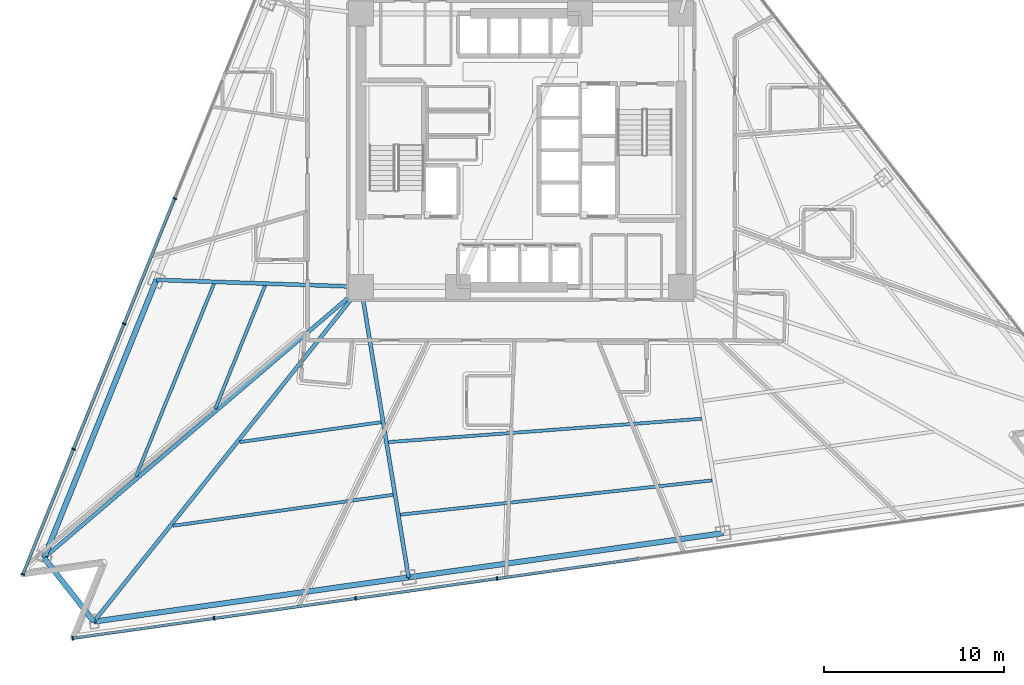
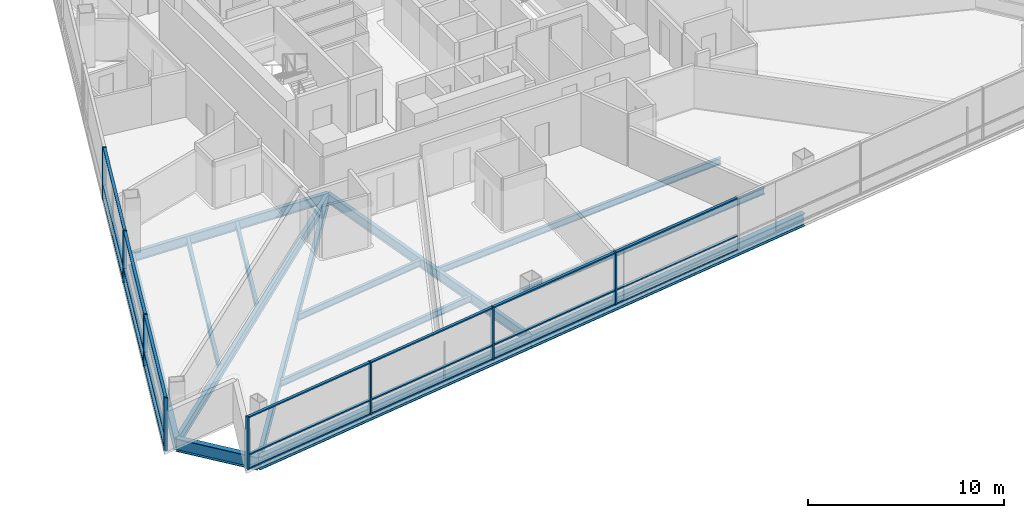
# One storey, part 2 of 16: 29 members, 14 beams, 2 elements without a shape of their own.
"""IFC4 building model written with IfcOpenShell, lengths in metres."""

from ifc_helpers import new_model, si_unit, direction, frame, origin, origin_2d, place, context, subcontext, project, spatial, rectangle, i_section, extrude, material, layer, layer_set, material_profile, profile_set, type_object, element, aggregate, save


model = new_model("IFC4")

# Units and contexts
model_context = context("Model", 3, precision=1e-05, world=origin(), true_north=direction((0.0, 1.0)))
body_context = subcontext(model_context, "Body", "Model", "MODEL_VIEW")
ifc_project = project(units=[si_unit("LENGTHUNIT", "METRE"), si_unit("AREAUNIT", "SQUARE_METRE"), si_unit("VOLUMEUNIT", "CUBIC_METRE"), si_unit("PLANEANGLEUNIT", "RADIAN"), si_unit("MASSUNIT", "GRAM", prefix="KILO")], contexts=[model_context])

# Site, building, storey
site_placement = place(None, origin())
site = spatial("IfcSite", under=ifc_project, at=site_placement, CompositionType="ELEMENT")
building_placement = place(site_placement, origin())
building = spatial("IfcBuilding", under=site, at=building_placement, Name="Tharavind Bronze Gate", CompositionType="ELEMENT")
storey_placement = place(building_placement, frame((0.0, 0.0, 70.75)))
storey = spatial("IfcBuildingStorey", under=building, at=storey_placement, Name="L17", CompositionType="ELEMENT", Elevation=70.75)

# Curtain wall, members
ifc_material_1 = material(Name="Anodised Bronze Aluminium", Category="aluminium")
ifc_layer = layer(ifc_material_1, 0.219970703125)
ifc_layer_set = layer_set([ifc_layer], Name="Anodised Bronze Aluminium")
curtain_wall_type = type_object("IfcCurtainWallType", Name="UNITISED CURTAIN WALL HOTEL", PredefinedType="USERDEFINED", material=ifc_layer_set)
curtain_wall_1_placement = place(storey_placement, origin())
curtain_wall_1 = element("IfcCurtainWall", 1, at=curtain_wall_1_placement, inside=storey, type_object=curtain_wall_type, Name="L17 unitised curtain wall hotel CW-L17-S1", ObjectType="UNITISED CURTAIN WALL", PredefinedType="USERDEFINED")
member_type_1 = type_object("IfcMemberType", Name="CURTAIN WALL MULLION 80X220", PredefinedType="MULLION", material=ifc_material_1)
member_1_placement = place(storey_placement, frame((-19.261474609375, -2.688232421875, 0.0), z_axis=(0.0, 0.0, 1.0), x_axis=(-0.374606593416, -0.927183854567, 0.0)))
member_1 = element("IfcMember", 2, at=member_1_placement, type_object=member_type_1, Name="CW-L17-S1 mullion 5", PredefinedType="MULLION", context=body_context, shape_type="SweptSolid", body=[
    extrude(rectangle(XDim=0.080078125, YDim=0.219970703125, at=origin_2d()), origin(), (0.0, 0.0, 1.0), 3.27490234375),
])
member_2_placement = place(storey_placement, frame((-22.07666015625, -9.65625, 0.0), z_axis=(0.0, 0.0, 1.0), x_axis=(-0.374606593416, -0.927183854567, 0.0)))
member_2 = element("IfcMember", 3, at=member_2_placement, type_object=member_type_1, Name="CW-L17-S1 mullion 6", PredefinedType="MULLION", context=body_context, shape_type="SweptSolid", body=[
    extrude(rectangle(XDim=0.080078125, YDim=0.219970703125, at=origin_2d()), origin(), (0.0, 0.0, 1.0), 3.27490234375),
])
member_3_placement = place(storey_placement, frame((-24.891845703125, -16.6240234375, 0.0), z_axis=(0.0, 0.0, 1.0), x_axis=(-0.374606593416, -0.927183854567, 0.0)))
member_3 = element("IfcMember", 4, at=member_3_placement, type_object=member_type_1, Name="CW-L17-S1 mullion 7", PredefinedType="MULLION", context=body_context, shape_type="SweptSolid", body=[
    extrude(rectangle(XDim=0.080078125, YDim=0.219970703125, at=origin_2d()), origin(), (0.0, 0.0, 1.0), 3.27490234375),
])
member_4_placement = place(storey_placement, frame((-27.70703125, -23.591796875, 0.0), z_axis=(0.0, 0.0, 1.0), x_axis=(-0.374606593416, -0.927183854567, 0.0)))
member_4 = element("IfcMember", 5, at=member_4_placement, type_object=member_type_1, Name="CW-L17-S1 mullion 8", PredefinedType="MULLION", context=body_context, shape_type="SweptSolid", body=[
    extrude(rectangle(XDim=0.080078125, YDim=0.219970703125, at=origin_2d()), origin(), (0.0, 0.0, 1.0), 3.27490234375),
])

curtain_wall_2_placement = place(storey_placement, origin())
curtain_wall_2 = element("IfcCurtainWall", 6, at=curtain_wall_2_placement, inside=storey, type_object=curtain_wall_type, Name="L17 unitised curtain wall hotel CW-L17-S2", ObjectType="UNITISED CURTAIN WALL", PredefinedType="USERDEFINED")
member_5_placement = place(storey_placement, frame((-24.9365234375, -27.137939453125, 0.0), z_axis=(0.0, 0.0, 1.0), x_axis=(0.990268068742, 0.13917310096, 0.0)))
member_5 = element("IfcMember", 7, at=member_5_placement, type_object=member_type_1, Name="CW-L17-S2 mullion 1", PredefinedType="MULLION", context=body_context, shape_type="SweptSolid", body=[
    extrude(rectangle(XDim=0.080078125, YDim=0.219970703125, at=origin_2d()), origin(), (0.0, 0.0, 1.0), 3.27490234375),
])
member_6_placement = place(storey_placement, frame((-17.0703125, -26.032470703125, 0.0), z_axis=(0.0, 0.0, 1.0), x_axis=(0.990268068742, 0.13917310096, 0.0)))
member_6 = element("IfcMember", 8, at=member_6_placement, type_object=member_type_1, Name="CW-L17-S2 mullion 2", PredefinedType="MULLION", context=body_context, shape_type="SweptSolid", body=[
    extrude(rectangle(XDim=0.080078125, YDim=0.219970703125, at=origin_2d()), origin(), (0.0, 0.0, 1.0), 3.27490234375),
])
member_7_placement = place(storey_placement, frame((-9.203857421875, -24.9267578125, 0.0), z_axis=(0.0, 0.0, 1.0), x_axis=(0.990268068742, 0.13917310096, 0.0)))
member_7 = element("IfcMember", 9, at=member_7_placement, type_object=member_type_1, Name="CW-L17-S2 mullion 3", PredefinedType="MULLION", context=body_context, shape_type="SweptSolid", body=[
    extrude(rectangle(XDim=0.080078125, YDim=0.219970703125, at=origin_2d()), origin(), (0.0, 0.0, 1.0), 3.27490234375),
])
member_8_placement = place(storey_placement, frame((-1.337646484375, -23.8212890625, 0.0), z_axis=(0.0, 0.0, 1.0), x_axis=(0.990268068742, 0.13917310096, 0.0)))
member_8 = element("IfcMember", 10, at=member_8_placement, type_object=member_type_1, Name="CW-L17-S2 mullion 4", PredefinedType="MULLION", context=body_context, shape_type="SweptSolid", body=[
    extrude(rectangle(XDim=0.080078125, YDim=0.219970703125, at=origin_2d()), origin(), (0.0, 0.0, 1.0), 3.27490234375),
])

# Member
member_type_2 = type_object("IfcMemberType", Name="CURTAIN WALL TRANSOM 80X160", PredefinedType="USERDEFINED", material=ifc_material_1)
member_9_placement = place(storey_placement, frame((-20.669189453125, -6.17236328125, 0.0), z_axis=(0.0, 0.0, 1.0), x_axis=(-0.374606593416, -0.927183854567, 0.0)))
member_9 = element("IfcMember", 11, at=member_9_placement, type_object=member_type_2, Name="CW-L17-S1 transom TB5", ObjectType="TRANSOM", PredefinedType="USERDEFINED", context=body_context, shape_type="SweptSolid", body=[
    extrude(rectangle(XDim=7.447021484375, YDim=0.159912109375, at=origin_2d()), origin(), (0.0, 0.0, 1.0), 0.080078125),
])

member_10_placement = place(storey_placement, frame((-20.669189453125, -6.17236328125, 0.85986328125), z_axis=(0.0, 0.0, 1.0), x_axis=(-0.374606593416, -0.927183854567, 0.0)))
member_10 = element("IfcMember", 12, at=member_10_placement, type_object=member_type_2, Name="CW-L17-S1 transom TS5", ObjectType="TRANSOM", PredefinedType="USERDEFINED", context=body_context, shape_type="SweptSolid", body=[
    extrude(rectangle(XDim=7.447021484375, YDim=0.159912109375, at=origin_2d()), origin(), (0.0, 0.0, 1.0), 0.080078125),
])

member_11_placement = place(storey_placement, frame((-20.669189453125, -6.17236328125, 3.195068359375), z_axis=(0.0, 0.0, 1.0), x_axis=(-0.374606593416, -0.927183854567, 0.0)))
member_11 = element("IfcMember", 13, at=member_11_placement, type_object=member_type_2, Name="CW-L17-S1 transom TT5", ObjectType="TRANSOM", PredefinedType="USERDEFINED", context=body_context, shape_type="SweptSolid", body=[
    extrude(rectangle(XDim=7.447021484375, YDim=0.159912109375, at=origin_2d()), origin(), (0.0, 0.0, 1.0), 0.080078125),
])

member_12_placement = place(storey_placement, frame((-23.484375, -13.14013671875, 0.0), z_axis=(0.0, 0.0, 1.0), x_axis=(-0.374606593416, -0.927183854567, 0.0)))
member_12 = element("IfcMember", 14, at=member_12_placement, type_object=member_type_2, Name="CW-L17-S1 transom TB6", ObjectType="TRANSOM", PredefinedType="USERDEFINED", context=body_context, shape_type="SweptSolid", body=[
    extrude(rectangle(XDim=7.447021484375, YDim=0.159912109375, at=origin_2d()), origin(), (0.0, 0.0, 1.0), 0.080078125),
])

member_13_placement = place(storey_placement, frame((-23.484375, -13.14013671875, 0.85986328125), z_axis=(0.0, 0.0, 1.0), x_axis=(-0.374606593416, -0.927183854567, 0.0)))
member_13 = element("IfcMember", 15, at=member_13_placement, type_object=member_type_2, Name="CW-L17-S1 transom TS6", ObjectType="TRANSOM", PredefinedType="USERDEFINED", context=body_context, shape_type="SweptSolid", body=[
    extrude(rectangle(XDim=7.447021484375, YDim=0.159912109375, at=origin_2d()), origin(), (0.0, 0.0, 1.0), 0.080078125),
])

member_14_placement = place(storey_placement, frame((-23.484375, -13.14013671875, 3.195068359375), z_axis=(0.0, 0.0, 1.0), x_axis=(-0.374606593416, -0.927183854567, 0.0)))
member_14 = element("IfcMember", 16, at=member_14_placement, type_object=member_type_2, Name="CW-L17-S1 transom TT6", ObjectType="TRANSOM", PredefinedType="USERDEFINED", context=body_context, shape_type="SweptSolid", body=[
    extrude(rectangle(XDim=7.447021484375, YDim=0.159912109375, at=origin_2d()), origin(), (0.0, 0.0, 1.0), 0.080078125),
])

member_15_placement = place(storey_placement, frame((-26.299560546875, -20.10791015625, 0.0), z_axis=(0.0, 0.0, 1.0), x_axis=(-0.374606593416, -0.927183854567, 0.0)))
member_15 = element("IfcMember", 17, at=member_15_placement, type_object=member_type_2, Name="CW-L17-S1 transom TB7", ObjectType="TRANSOM", PredefinedType="USERDEFINED", context=body_context, shape_type="SweptSolid", body=[
    extrude(rectangle(XDim=7.447021484375, YDim=0.159912109375, at=origin_2d()), origin(), (0.0, 0.0, 1.0), 0.080078125),
])

member_16_placement = place(storey_placement, frame((-26.299560546875, -20.10791015625, 0.85986328125), z_axis=(0.0, 0.0, 1.0), x_axis=(-0.374606593416, -0.927183854567, 0.0)))
member_16 = element("IfcMember", 18, at=member_16_placement, type_object=member_type_2, Name="CW-L17-S1 transom TS7", ObjectType="TRANSOM", PredefinedType="USERDEFINED", context=body_context, shape_type="SweptSolid", body=[
    extrude(rectangle(XDim=7.447021484375, YDim=0.159912109375, at=origin_2d()), origin(), (0.0, 0.0, 1.0), 0.080078125),
])

member_17_placement = place(storey_placement, frame((-26.299560546875, -20.10791015625, 3.195068359375), z_axis=(0.0, 0.0, 1.0), x_axis=(-0.374606593416, -0.927183854567, 0.0)))
member_17 = element("IfcMember", 19, at=member_17_placement, type_object=member_type_2, Name="CW-L17-S1 transom TT7", ObjectType="TRANSOM", PredefinedType="USERDEFINED", context=body_context, shape_type="SweptSolid", body=[
    extrude(rectangle(XDim=7.447021484375, YDim=0.159912109375, at=origin_2d()), origin(), (0.0, 0.0, 1.0), 0.080078125),
])

aggregate(curtain_wall_1, [member_1, member_2, member_3, member_4, member_9, member_10, member_11, member_12, member_13, member_14, member_15, member_16, member_17])

member_18_placement = place(storey_placement, frame((-21.00341796875, -26.585205078125, 0.0), z_axis=(0.0, 0.0, 1.0), x_axis=(0.990268068742, 0.13917310096, 0.0)))
member_18 = element("IfcMember", 20, at=member_18_placement, type_object=member_type_2, Name="CW-L17-S2 transom TB1", ObjectType="TRANSOM", PredefinedType="USERDEFINED", context=body_context, shape_type="SweptSolid", body=[
    extrude(rectangle(XDim=7.87548828125, YDim=0.159912109375, at=origin_2d()), origin(), (0.0, 0.0, 1.0), 0.080078125),
])

member_19_placement = place(storey_placement, frame((-21.00341796875, -26.585205078125, 0.85986328125), z_axis=(0.0, 0.0, 1.0), x_axis=(0.990268068742, 0.13917310096, 0.0)))
member_19 = element("IfcMember", 21, at=member_19_placement, type_object=member_type_2, Name="CW-L17-S2 transom TS1", ObjectType="TRANSOM", PredefinedType="USERDEFINED", context=body_context, shape_type="SweptSolid", body=[
    extrude(rectangle(XDim=7.87548828125, YDim=0.159912109375, at=origin_2d()), origin(), (0.0, 0.0, 1.0), 0.080078125),
])

member_20_placement = place(storey_placement, frame((-21.00341796875, -26.585205078125, 3.195068359375), z_axis=(0.0, 0.0, 1.0), x_axis=(0.990268068742, 0.13917310096, 0.0)))
member_20 = element("IfcMember", 22, at=member_20_placement, type_object=member_type_2, Name="CW-L17-S2 transom TT1", ObjectType="TRANSOM", PredefinedType="USERDEFINED", context=body_context, shape_type="SweptSolid", body=[
    extrude(rectangle(XDim=7.87548828125, YDim=0.159912109375, at=origin_2d()), origin(), (0.0, 0.0, 1.0), 0.080078125),
])

member_21_placement = place(storey_placement, frame((-13.13720703125, -25.4794921875, 0.0), z_axis=(0.0, 0.0, 1.0), x_axis=(0.990268068742, 0.13917310096, 0.0)))
member_21 = element("IfcMember", 23, at=member_21_placement, type_object=member_type_2, Name="CW-L17-S2 transom TB2", ObjectType="TRANSOM", PredefinedType="USERDEFINED", context=body_context, shape_type="SweptSolid", body=[
    extrude(rectangle(XDim=7.87548828125, YDim=0.159912109375, at=origin_2d()), origin(), (0.0, 0.0, 1.0), 0.080078125),
])

member_22_placement = place(storey_placement, frame((-13.13720703125, -25.4794921875, 0.85986328125), z_axis=(0.0, 0.0, 1.0), x_axis=(0.990268068742, 0.13917310096, 0.0)))
member_22 = element("IfcMember", 24, at=member_22_placement, type_object=member_type_2, Name="CW-L17-S2 transom TS2", ObjectType="TRANSOM", PredefinedType="USERDEFINED", context=body_context, shape_type="SweptSolid", body=[
    extrude(rectangle(XDim=7.87548828125, YDim=0.159912109375, at=origin_2d()), origin(), (0.0, 0.0, 1.0), 0.080078125),
])

member_23_placement = place(storey_placement, frame((-13.13720703125, -25.4794921875, 3.195068359375), z_axis=(0.0, 0.0, 1.0), x_axis=(0.990268068742, 0.13917310096, 0.0)))
member_23 = element("IfcMember", 25, at=member_23_placement, type_object=member_type_2, Name="CW-L17-S2 transom TT2", ObjectType="TRANSOM", PredefinedType="USERDEFINED", context=body_context, shape_type="SweptSolid", body=[
    extrude(rectangle(XDim=7.87548828125, YDim=0.159912109375, at=origin_2d()), origin(), (0.0, 0.0, 1.0), 0.080078125),
])

member_24_placement = place(storey_placement, frame((-5.270751953125, -24.3740234375, 0.0), z_axis=(0.0, 0.0, 1.0), x_axis=(0.990268068742, 0.13917310096, 0.0)))
member_24 = element("IfcMember", 26, at=member_24_placement, type_object=member_type_2, Name="CW-L17-S2 transom TB3", ObjectType="TRANSOM", PredefinedType="USERDEFINED", context=body_context, shape_type="SweptSolid", body=[
    extrude(rectangle(XDim=7.87548828125, YDim=0.159912109375, at=origin_2d()), origin(), (0.0, 0.0, 1.0), 0.080078125),
])

member_25_placement = place(storey_placement, frame((-5.270751953125, -24.3740234375, 0.85986328125), z_axis=(0.0, 0.0, 1.0), x_axis=(0.990268068742, 0.13917310096, 0.0)))
member_25 = element("IfcMember", 27, at=member_25_placement, type_object=member_type_2, Name="CW-L17-S2 transom TS3", ObjectType="TRANSOM", PredefinedType="USERDEFINED", context=body_context, shape_type="SweptSolid", body=[
    extrude(rectangle(XDim=7.87548828125, YDim=0.159912109375, at=origin_2d()), origin(), (0.0, 0.0, 1.0), 0.080078125),
])

member_26_placement = place(storey_placement, frame((-5.270751953125, -24.3740234375, 3.195068359375), z_axis=(0.0, 0.0, 1.0), x_axis=(0.990268068742, 0.13917310096, 0.0)))
member_26 = element("IfcMember", 28, at=member_26_placement, type_object=member_type_2, Name="CW-L17-S2 transom TT3", ObjectType="TRANSOM", PredefinedType="USERDEFINED", context=body_context, shape_type="SweptSolid", body=[
    extrude(rectangle(XDim=7.87548828125, YDim=0.159912109375, at=origin_2d()), origin(), (0.0, 0.0, 1.0), 0.080078125),
])

member_27_placement = place(storey_placement, frame((2.595703125, -23.2685546875, 0.0), z_axis=(0.0, 0.0, 1.0), x_axis=(0.990268068742, 0.13917310096, 0.0)))
member_27 = element("IfcMember", 29, at=member_27_placement, type_object=member_type_2, Name="CW-L17-S2 transom TB4", ObjectType="TRANSOM", PredefinedType="USERDEFINED", context=body_context, shape_type="SweptSolid", body=[
    extrude(rectangle(XDim=7.87548828125, YDim=0.159912109375, at=origin_2d()), origin(), (0.0, 0.0, 1.0), 0.080078125),
])

member_28_placement = place(storey_placement, frame((2.595703125, -23.2685546875, 0.85986328125), z_axis=(0.0, 0.0, 1.0), x_axis=(0.990268068742, 0.13917310096, 0.0)))
member_28 = element("IfcMember", 30, at=member_28_placement, type_object=member_type_2, Name="CW-L17-S2 transom TS4", ObjectType="TRANSOM", PredefinedType="USERDEFINED", context=body_context, shape_type="SweptSolid", body=[
    extrude(rectangle(XDim=7.87548828125, YDim=0.159912109375, at=origin_2d()), origin(), (0.0, 0.0, 1.0), 0.080078125),
])

member_29_placement = place(storey_placement, frame((2.595703125, -23.2685546875, 3.195068359375), z_axis=(0.0, 0.0, 1.0), x_axis=(0.990268068742, 0.13917310096, 0.0)))
member_29 = element("IfcMember", 31, at=member_29_placement, type_object=member_type_2, Name="CW-L17-S2 transom TT4", ObjectType="TRANSOM", PredefinedType="USERDEFINED", context=body_context, shape_type="SweptSolid", body=[
    extrude(rectangle(XDim=7.87548828125, YDim=0.159912109375, at=origin_2d()), origin(), (0.0, 0.0, 1.0), 0.080078125),
])

aggregate(curtain_wall_2, [member_5, member_6, member_7, member_8, member_18, member_19, member_20, member_21, member_22, member_23, member_24, member_25, member_26, member_27, member_28, member_29])

# Beams
ifc_material_2 = material(Name="Steel S355", Category="steel")
ifc_material_profile_1 = material_profile(ifc_material_2, i_section(OverallWidth=0.219970703125, OverallDepth=0.60009765625, WebThickness=0.011962890625, FlangeThickness=0.01904296875, at=origin_2d()), Name="IPE600")
ifc_profile_set_1 = profile_set([ifc_material_profile_1], Name="Steel S355")
beam_type_1 = type_object("IfcBeamType", Name="PRIMARY GIRDER IPE600", PredefinedType="USERDEFINED", material=ifc_profile_set_1)
beam_1_placement = place(storey_placement, frame((-20.28076171875, -7.212890625, -0.47509765625), z_axis=(0.999421731514, -0.034002978938, 0.0), x_axis=(0.034002978938, 0.999421731514, 0.0)))
element("IfcBeam", 32, at=beam_1_placement, inside=storey, type_object=beam_type_1, Name="L17 primary girder ipe600 BM-L17-RAD03", ObjectType="GIRDER", PredefinedType="USERDEFINED", context=body_context, shape_type="SweptSolid", body=[
    extrude(i_section(OverallWidth=0.219970703125, OverallDepth=0.60009765625, WebThickness=0.011962890625, FlangeThickness=0.01904296875, at=origin_2d()), origin(), (0.0, 0.0, 1.0), 11.387451171875),
])
beam_2_placement = place(storey_placement, frame((-26.525146484375, -22.66845703125, -0.47509765625), z_axis=(0.760086871137, 0.649821474195, 0.0), x_axis=(-0.649821474195, 0.760086871137, 0.0)))
element("IfcBeam", 33, at=beam_2_placement, inside=storey, type_object=beam_type_1, Name="L17 primary girder ipe600 BM-L17-RAD04", ObjectType="GIRDER", PredefinedType="USERDEFINED", context=body_context, shape_type="SweptSolid", body=[
    extrude(i_section(OverallWidth=0.219970703125, OverallDepth=0.60009765625, WebThickness=0.011962890625, FlangeThickness=0.01904296875, at=origin_2d()), origin(), (0.0, 0.0, 1.0), 23.1884765625),
])
beam_3_placement = place(storey_placement, frame((-23.754638671875, -26.21435546875, -0.47509765625), z_axis=(0.623755703822, 0.781619358735, 0.0), x_axis=(-0.781619358735, 0.623755703822, 0.0)))
element("IfcBeam", 34, at=beam_3_placement, inside=storey, type_object=beam_type_1, Name="L17 primary girder ipe600 BM-L17-RAD05", ObjectType="GIRDER", PredefinedType="USERDEFINED", context=body_context, shape_type="SweptSolid", body=[
    extrude(i_section(OverallWidth=0.219970703125, OverallDepth=0.60009765625, WebThickness=0.011962890625, FlangeThickness=0.01904296875, at=origin_2d()), origin(), (0.0, 0.0, 1.0), 23.81494140625),
])
beam_4_placement = place(storey_placement, frame((-6.25732421875, -23.75537109375, -0.47509765625), z_axis=(-0.161428355107, 0.986884434049, 0.0), x_axis=(-0.986884434049, -0.161428355107, 0.0)))
element("IfcBeam", 35, at=beam_4_placement, inside=storey, type_object=beam_type_1, Name="L17 primary girder ipe600 BM-L17-RAD06", ObjectType="GIRDER", PredefinedType="USERDEFINED", context=body_context, shape_type="SweptSolid", body=[
    extrude(i_section(OverallWidth=0.219970703125, OverallDepth=0.60009765625, WebThickness=0.011962890625, FlangeThickness=0.01904296875, at=origin_2d()), origin(), (0.0, 0.0, 1.0), 16.369873046875),
])
ifc_material_profile_2 = material_profile(ifc_material_2, i_section(OverallWidth=0.300048828125, OverallDepth=0.800048828125, WebThickness=0.017578125, FlangeThickness=0.032958984375, at=origin_2d()), Name="HE800B")
ifc_profile_set_2 = profile_set([ifc_material_profile_2], Name="Steel S355")
beam_type_2 = type_object("IfcBeamType", Name="RING GIRDER HE800B", PredefinedType="USERDEFINED", material=ifc_profile_set_2)
beam_5_placement = place(storey_placement, frame((-20.28076171875, -7.212890625, -0.574951171875), z_axis=(-0.374603014443, -0.927185300557, 0.0), x_axis=(0.927185300557, -0.374603014443, 0.0)))
element("IfcBeam", 36, at=beam_5_placement, inside=storey, type_object=beam_type_2, Name="L17 ring girder he800b BM-L17-PRG03", ObjectType="GIRDER", PredefinedType="USERDEFINED", context=body_context, shape_type="SweptSolid", body=[
    extrude(i_section(OverallWidth=0.300048828125, OverallDepth=0.800048828125, WebThickness=0.017578125, FlangeThickness=0.032958984375, at=origin_2d()), origin(), (0.0, 0.0, 1.0), 16.66943359375),
])
beam_6_placement = place(storey_placement, frame((-26.525146484375, -22.66845703125, -0.574951171875), z_axis=(0.615681943852, -0.787994761413, 0.0), x_axis=(0.787994761413, 0.615681943852, 0.0)))
element("IfcBeam", 37, at=beam_6_placement, inside=storey, type_object=beam_type_2, Name="L17 ring girder he800b BM-L17-PRG04", ObjectType="GIRDER", PredefinedType="USERDEFINED", context=body_context, shape_type="SweptSolid", body=[
    extrude(i_section(OverallWidth=0.300048828125, OverallDepth=0.800048828125, WebThickness=0.017578125, FlangeThickness=0.032958984375, at=origin_2d()), origin(), (0.0, 0.0, 1.0), 4.5),
])
beam_7_placement = place(storey_placement, frame((-23.754638671875, -26.21435546875, -0.574951171875), z_axis=(0.990268870582, 0.13916739545, 0.0), x_axis=(-0.13916739545, 0.990268870582, 0.0)))
element("IfcBeam", 38, at=beam_7_placement, inside=storey, type_object=beam_type_2, Name="L17 ring girder he800b BM-L17-PRG05", ObjectType="GIRDER", PredefinedType="USERDEFINED", context=body_context, shape_type="SweptSolid", body=[
    extrude(i_section(OverallWidth=0.300048828125, OverallDepth=0.800048828125, WebThickness=0.017578125, FlangeThickness=0.032958984375, at=origin_2d()), origin(), (0.0, 0.0, 1.0), 17.669189453125),
])
beam_8_placement = place(storey_placement, frame((-6.25732421875, -23.75537109375, -0.574951171875), z_axis=(0.99026860297, 0.139169299675, 0.0), x_axis=(-0.139169299675, 0.99026860297, 0.0)))
element("IfcBeam", 39, at=beam_8_placement, inside=storey, type_object=beam_type_2, Name="L17 ring girder he800b BM-L17-PRG06", ObjectType="GIRDER", PredefinedType="USERDEFINED", context=body_context, shape_type="SweptSolid", body=[
    extrude(i_section(OverallWidth=0.300048828125, OverallDepth=0.800048828125, WebThickness=0.017578125, FlangeThickness=0.032958984375, at=origin_2d()), origin(), (0.0, 0.0, 1.0), 17.6689453125),
])
ifc_material_profile_3 = material_profile(ifc_material_2, i_section(OverallWidth=0.179931640625, OverallDepth=0.39990234375, WebThickness=0.008544921875, FlangeThickness=0.013427734375, at=origin_2d()), Name="IPE400")
ifc_profile_set_3 = profile_set([ifc_material_profile_3], Name="Steel S355")
beam_type_3 = type_object("IfcBeamType", Name="SECONDARY FLOOR JOIST IPE400", PredefinedType="JOIST", material=ifc_profile_set_3)
beam_9_placement = place(storey_placement, frame((-14.2373046875, -7.5322265625, -0.375), z_axis=(-0.37461330308, -0.927181143658, 0.0), x_axis=(0.927181143658, -0.37461330308, 0.0)))
element("IfcBeam", 40, at=beam_9_placement, inside=storey, type_object=beam_type_3, Name="L17 secondary floor joist ipe400 BM-L17-JSTA03", PredefinedType="JOIST", context=body_context, shape_type="SweptSolid", body=[
    extrude(i_section(OverallWidth=0.179931640625, OverallDepth=0.39990234375, WebThickness=0.008544921875, FlangeThickness=0.013427734375, at=origin_2d()), origin(), (0.0, 0.0, 1.0), 7.387939453125),
])
beam_10_placement = place(storey_placement, frame((-17.08251953125, -7.435546875, -0.375), z_axis=(-0.374608720943, -0.927182994987, 0.0), x_axis=(0.927182994987, -0.374608720943, 0.0)))
element("IfcBeam", 41, at=beam_10_placement, inside=storey, type_object=beam_type_3, Name="L17 secondary floor joist ipe400 BM-L17-JSTB03", PredefinedType="JOIST", context=body_context, shape_type="SweptSolid", body=[
    extrude(i_section(OverallWidth=0.179931640625, OverallDepth=0.39990234375, WebThickness=0.008544921875, FlangeThickness=0.013427734375, at=origin_2d()), origin(), (0.0, 0.0, 1.0), 11.554931640625),
])
beam_11_placement = place(storey_placement, frame((-15.64501953125, -16.23291015625, -0.375), z_axis=(0.990268635853, 0.139169065695, 0.0), x_axis=(-0.139169065695, 0.990268635853, 0.0)))
element("IfcBeam", 42, at=beam_11_placement, inside=storey, type_object=beam_type_3, Name="L17 secondary floor joist ipe400 BM-L17-JSTA05", PredefinedType="JOIST", context=body_context, shape_type="SweptSolid", body=[
    extrude(i_section(OverallWidth=0.179931640625, OverallDepth=0.39990234375, WebThickness=0.008544921875, FlangeThickness=0.013427734375, at=origin_2d()), origin(), (0.0, 0.0, 1.0), 7.93798828125),
])
beam_12_placement = place(storey_placement, frame((-19.358642578125, -20.886474609375, -0.375), z_axis=(0.990268624097, 0.139169149347, 0.0), x_axis=(-0.139169149347, 0.990268624097, 0.0)))
element("IfcBeam", 43, at=beam_12_placement, inside=storey, type_object=beam_type_3, Name="L17 secondary floor joist ipe400 BM-L17-JSTB05", PredefinedType="JOIST", context=body_context, shape_type="SweptSolid", body=[
    extrude(i_section(OverallWidth=0.179931640625, OverallDepth=0.39990234375, WebThickness=0.008544921875, FlangeThickness=0.013427734375, at=origin_2d()), origin(), (0.0, 0.0, 1.0), 12.355224609375),
])
beam_13_placement = place(storey_placement, frame((-7.3720703125, -16.234619140625, -0.375), z_axis=(0.997229733674, 0.074383185436, 0.0), x_axis=(-0.074383185436, 0.997229733674, 0.0)))
element("IfcBeam", 44, at=beam_13_placement, inside=storey, type_object=beam_type_3, Name="L17 secondary floor joist ipe400 BM-L17-JSTA06", PredefinedType="JOIST", context=body_context, shape_type="SweptSolid", body=[
    extrude(i_section(OverallWidth=0.179931640625, OverallDepth=0.39990234375, WebThickness=0.008544921875, FlangeThickness=0.013427734375, at=origin_2d()), origin(), (0.0, 0.0, 1.0), 17.4580078125),
])
beam_14_placement = place(storey_placement, frame((-6.712158203125, -20.269287109375, -0.375), z_axis=(0.99401448474, 0.109248359842, 0.0), x_axis=(-0.109248359842, 0.99401448474, 0.0)))
element("IfcBeam", 45, at=beam_14_placement, inside=storey, type_object=beam_type_3, Name="L17 secondary floor joist ipe400 BM-L17-JSTB06", PredefinedType="JOIST", context=body_context, shape_type="SweptSolid", body=[
    extrude(i_section(OverallWidth=0.179931640625, OverallDepth=0.39990234375, WebThickness=0.008544921875, FlangeThickness=0.013427734375, at=origin_2d()), origin(), (0.0, 0.0, 1.0), 17.43994140625),
])

save(model, "model.ifc")
